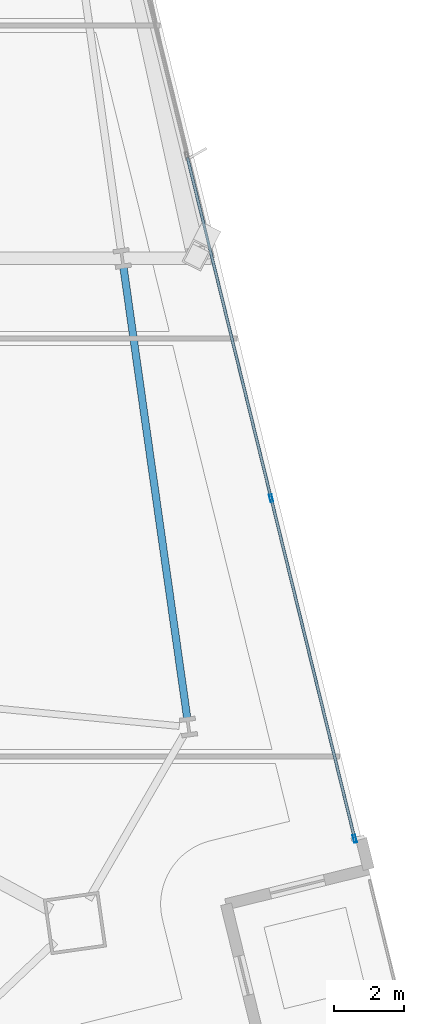
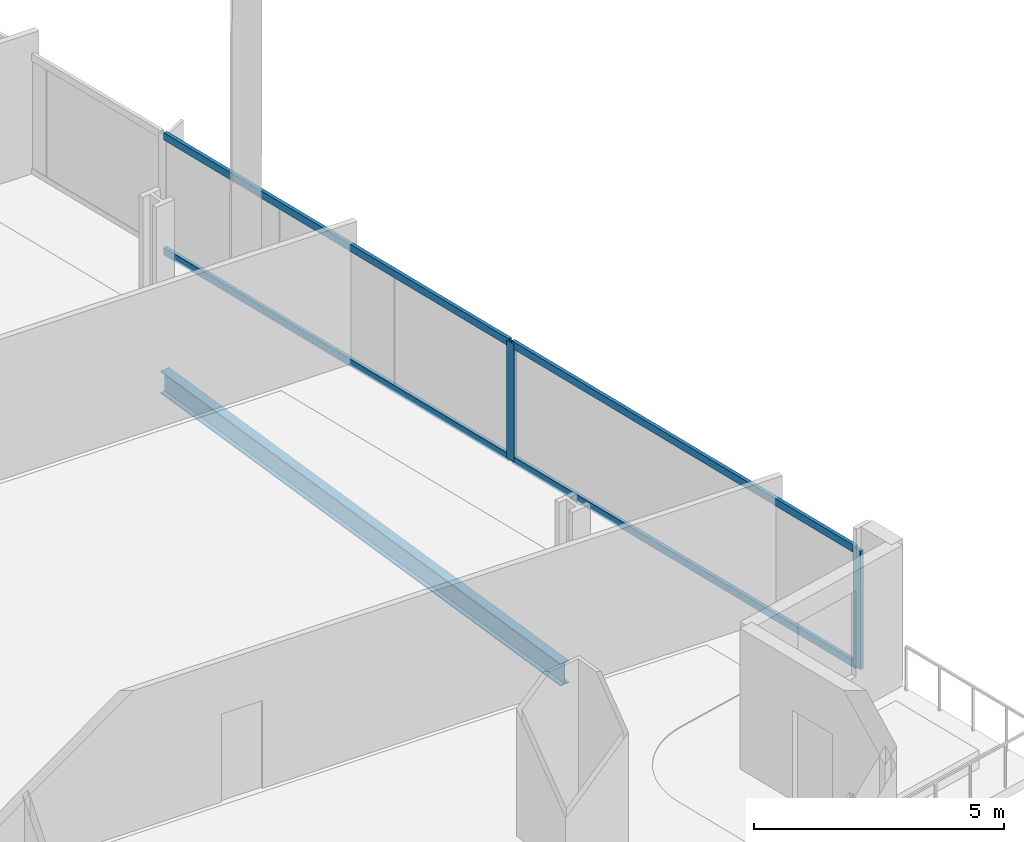
# One storey, part 11 of 32: 6 members, 1 beam, 1 element without a shape of its own.
"""IFC4 building model written with IfcOpenShell, lengths in metres."""

from ifc_helpers import new_model, si_unit, direction, frame, origin, origin_2d, place, context, subcontext, project, spatial, hollow_rectangle, i_section, extrude, material, material_profile, profile_set, type_object, element, aggregate, save


model = new_model("IFC4")

# Units and contexts
model_context = context("Model", 3, precision=1e-05, world=origin(), true_north=direction((0.0, 1.0)))
body_context = subcontext(model_context, "Body", "Model", "MODEL_VIEW")
ifc_project = project(units=[si_unit("LENGTHUNIT", "METRE"), si_unit("AREAUNIT", "SQUARE_METRE"), si_unit("VOLUMEUNIT", "CUBIC_METRE"), si_unit("PLANEANGLEUNIT", "RADIAN"), si_unit("MASSUNIT", "GRAM", prefix="KILO")], contexts=[model_context])

# Site, building, storey
site_placement = place(None, origin())
site = spatial("IfcSite", under=ifc_project, at=site_placement, CompositionType="ELEMENT")
building_placement = place(site_placement, origin())
building = spatial("IfcBuilding", under=site, at=building_placement, Name="Haldenkirk Collegiate Tower", CompositionType="ELEMENT")
storey_placement = place(building_placement, frame((0.0, 0.0, 73.949951171875)))
storey = spatial("IfcBuildingStorey", under=building, at=storey_placement, Name="L17", CompositionType="ELEMENT", Elevation=73.949951171875)

# Beam
ifc_material_1 = material(Name="Steel ASTM A992 Grade 50", Category="steel")
ifc_material_profile_1 = material_profile(ifc_material_1, i_section(OverallWidth=0.2119140625, OverallDepth=0.5439453125, WebThickness=0.01318359375, FlangeThickness=0.021240234375, at=origin_2d()), Name="W21X83")
ifc_profile_set_1 = profile_set([ifc_material_profile_1], Name="Steel ASTM A992 Grade 50")
beam_type = type_object("IfcBeamType", Name="BM-SPANDREL-W21X83", PredefinedType="SPANDREL", material=ifc_profile_set_1)
beam_placement = place(storey_placement, frame((61.611083984375, 16.65478515625, -0.58203125), z_axis=(-0.140040904101, 0.990145719164, 0.0), x_axis=(-0.990145719164, -0.140040904101, 0.0)))
element("IfcBeam", 1, at=beam_placement, inside=storey, type_object=beam_type, Name="L17 perimeter spandrel beam 06", PredefinedType="SPANDREL", context=body_context, shape_type="SweptSolid", body=[
    extrude(i_section(OverallWidth=0.2119140625, OverallDepth=0.5439453125, WebThickness=0.01318359375, FlangeThickness=0.021240234375, at=origin_2d()), origin(), (0.0, 0.0, 1.0), 13.000244140625),
])

# Curtain wall, members
ifc_material_2 = material(Name="Anodised architectural bronze aluminium", Category="aluminium")
curtain_wall_type = type_object("IfcCurtainWallType", Name="CW-SYS1-CONVEX-LOW", PredefinedType="USERDEFINED", material=ifc_material_2)
curtain_wall_placement = place(storey_placement, origin())
curtain_wall = element("IfcCurtainWall", 2, at=curtain_wall_placement, inside=storey, type_object=curtain_wall_type, Name="L17 Lower tower convex bronze-framed unitised curtain wall", ObjectType="UNITISED CURTAIN WALL", PredefinedType="USERDEFINED")
ifc_material_profile_2 = material_profile(ifc_material_2, hollow_rectangle(XDim=0.080078125, YDim=0.219970703125, WallThickness=0.0048828125, at=origin_2d()), Name="CW-MUL-1A")
ifc_profile_set_2 = profile_set([ifc_material_profile_2], Name="Anodised architectural bronze aluminium")
member_type_1 = type_object("IfcMemberType", Name="CW-MUL-1A", PredefinedType="MULLION", material=ifc_profile_set_2)
member_1_placement = place(storey_placement, frame((64.00927734375, 22.9365234375, 0.0), z_axis=(0.0, 0.0, 1.0), x_axis=(0.971134434447, 0.238532828413, 0.0)))
member_1 = element("IfcMember", 3, at=member_1_placement, type_object=member_type_1, Name="CW-1A mullion 4", PredefinedType="MULLION", context=body_context, shape_type="SweptSolid", body=[
    extrude(hollow_rectangle(XDim=0.080078125, YDim=0.219970703125, WallThickness=0.0048828125, at=origin_2d()), origin(), (0.0, 0.0, 1.0), 2.89111328125),
])
member_2_placement = place(storey_placement, frame((66.4013671875, 13.197265625, 0.0), z_axis=(0.0, 0.0, 1.0), x_axis=(0.971134434447, 0.238532828413, 0.0)))
member_2 = element("IfcMember", 4, at=member_2_placement, type_object=member_type_1, Name="CW-1A mullion 5", PredefinedType="MULLION", context=body_context, shape_type="SweptSolid", body=[
    extrude(hollow_rectangle(XDim=0.080078125, YDim=0.219970703125, WallThickness=0.0048828125, at=origin_2d()), origin(), (0.0, 0.0, 1.0), 2.89111328125),
])
ifc_material_profile_3 = material_profile(ifc_material_2, hollow_rectangle(XDim=0.080078125, YDim=0.179931640625, WallThickness=0.0048828125, at=origin_2d()), Name="CW-TRN-1A")
ifc_profile_set_3 = profile_set([ifc_material_profile_3], Name="Anodised architectural bronze aluminium")
member_type_2 = type_object("IfcMemberType", Name="CW-TRN-1A", PredefinedType="USERDEFINED", material=ifc_profile_set_3)
member_3_placement = place(storey_placement, frame((61.6171875, 32.67578125, 0.0400390625), z_axis=(0.238525139697, -0.97113632294, 0.0), x_axis=(0.97113632294, 0.238525139697, 0.0)))
member_3 = element("IfcMember", 5, at=member_3_placement, type_object=member_type_2, Name="CW-1A transom 3.1", ObjectType="TRANSOM", PredefinedType="USERDEFINED", context=body_context, shape_type="SweptSolid", body=[
    extrude(hollow_rectangle(XDim=0.080078125, YDim=0.179931640625, WallThickness=0.0048828125, at=origin_2d()), origin(), (0.0, 0.0, 1.0), 9.98876953125),
])
member_4_placement = place(storey_placement, frame((61.6171875, 32.67578125, 2.85107421875), z_axis=(0.238525139697, -0.97113632294, 0.0), x_axis=(0.97113632294, 0.238525139697, 0.0)))
member_4 = element("IfcMember", 6, at=member_4_placement, type_object=member_type_2, Name="CW-1A transom 3.2", ObjectType="TRANSOM", PredefinedType="USERDEFINED", context=body_context, shape_type="SweptSolid", body=[
    extrude(hollow_rectangle(XDim=0.080078125, YDim=0.179931640625, WallThickness=0.0048828125, at=origin_2d()), origin(), (0.0, 0.0, 1.0), 9.98876953125),
])
member_5_placement = place(storey_placement, frame((64.018798828125, 22.897705078125, 0.0400390625), z_axis=(0.238526359404, -0.971136023361, 0.0), x_axis=(0.971136023361, 0.238526359404, 0.0)))
member_5 = element("IfcMember", 7, at=member_5_placement, type_object=member_type_2, Name="CW-1A transom 4.1", ObjectType="TRANSOM", PredefinedType="USERDEFINED", context=body_context, shape_type="SweptSolid", body=[
    extrude(hollow_rectangle(XDim=0.080078125, YDim=0.179931640625, WallThickness=0.0048828125, at=origin_2d()), origin(), (0.0, 0.0, 1.0), 9.94873046875),
])
member_6_placement = place(storey_placement, frame((64.018798828125, 22.897705078125, 2.85107421875), z_axis=(0.238526359404, -0.971136023361, 0.0), x_axis=(0.971136023361, 0.238526359404, 0.0)))
member_6 = element("IfcMember", 8, at=member_6_placement, type_object=member_type_2, Name="CW-1A transom 4.2", ObjectType="TRANSOM", PredefinedType="USERDEFINED", context=body_context, shape_type="SweptSolid", body=[
    extrude(hollow_rectangle(XDim=0.080078125, YDim=0.179931640625, WallThickness=0.0048828125, at=origin_2d()), origin(), (0.0, 0.0, 1.0), 9.94873046875),
])
aggregate(curtain_wall, [member_1, member_2, member_3, member_4, member_5, member_6])

save(model, "model.ifc")
